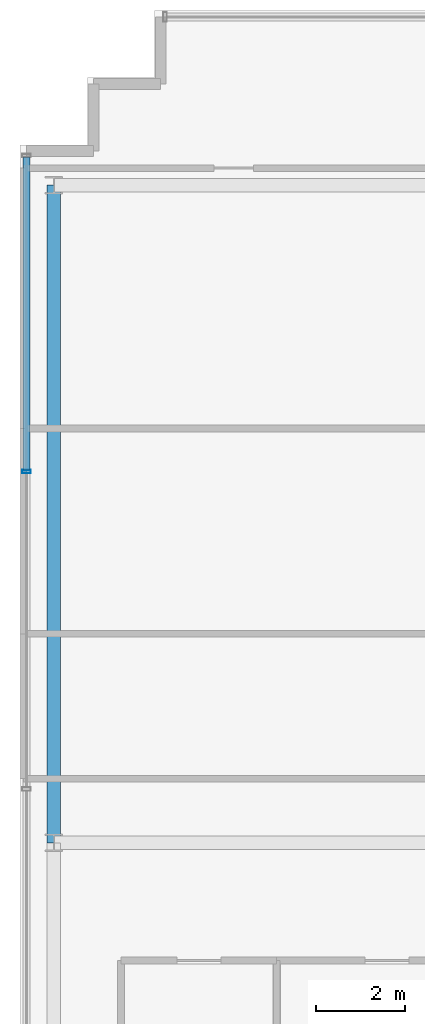
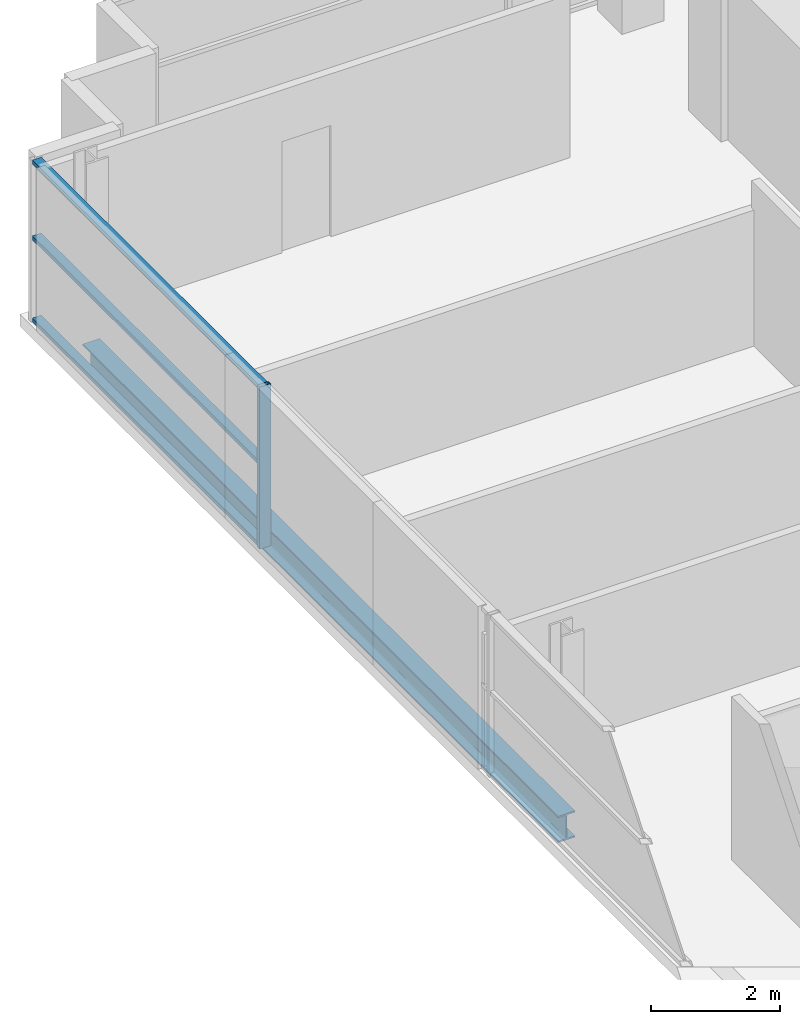
# One storey, part 10 of 25: 4 members, 1 beam, 1 element without a shape of its own.
"""IFC4 building model written with IfcOpenShell, lengths in metres."""

from ifc_helpers import new_model, si_unit, direction, frame, origin, origin_2d, place, context, subcontext, project, spatial, hollow_rectangle, i_section, extrude, source, transform, mapped, material, layer, layer_set, material_profile, profile_set, type_object, element, aggregate, save


model = new_model("IFC4")

# Units and contexts
model_context = context("Model", 3, precision=1e-05, world=origin(), true_north=direction((0.0, 1.0)))
body_context = subcontext(model_context, "Body", "Model", "MODEL_VIEW")
ifc_project = project(units=[si_unit("LENGTHUNIT", "METRE"), si_unit("AREAUNIT", "SQUARE_METRE"), si_unit("VOLUMEUNIT", "CUBIC_METRE"), si_unit("PLANEANGLEUNIT", "RADIAN"), si_unit("MASSUNIT", "GRAM", prefix="KILO")], contexts=[model_context])

# Site, building, storey
site_placement = place(None, origin())
site = spatial("IfcSite", under=ifc_project, at=site_placement, CompositionType="ELEMENT")
building_placement = place(site_placement, origin())
building = spatial("IfcBuilding", under=site, at=building_placement, Name="Zarnakvel Exchange Tower", CompositionType="ELEMENT")
storey_placement = place(building_placement, frame((0.0, 0.0, 169.300048828125)))
storey = spatial("IfcBuildingStorey", under=building, at=storey_placement, Name="L47", CompositionType="ELEMENT", Elevation=169.300048828125)

# Beam
ifc_material_1 = material(Name="Steel S355", Category="steel")
ifc_material_profile_1 = material_profile(ifc_material_1, i_section(OverallWidth=0.300048828125, OverallDepth=0.5, WebThickness=0.014404296875, FlangeThickness=0.028076171875, FilletRadius=0.027099609375, at=origin_2d()))
ifc_profile_set_1 = profile_set([ifc_material_profile_1], Name="Steel S355")
beam_type = type_object("IfcBeamType", Name="SP-02", PredefinedType="SPANDREL", material=ifc_profile_set_1)
beam_placement = place(storey_placement, frame((-25.85009765625, -1.199951171875, -0.47509765625), z_axis=(0.0, 1.0, 0.0), x_axis=(-1.0, 0.0, 0.0)))
element("IfcBeam", 1, at=beam_placement, inside=storey, type_object=beam_type, Name="L47 Tower N-S Frame Beam", PredefinedType="SPANDREL", context=body_context, shape_type="SweptSolid", body=[
    extrude(i_section(OverallWidth=0.300048828125, OverallDepth=0.5, WebThickness=0.014404296875, FlangeThickness=0.028076171875, FilletRadius=0.027099609375, at=origin_2d()), origin(), (0.0, 0.0, 1.0), 14.699951171875),
])

# Curtain wall, members
ifc_material_2 = material(Name="Architectural Bronze Anodised Aluminium", Category="aluminium")
ifc_layer = layer(ifc_material_2, 0.199951171875)
ifc_layer_set = layer_set([ifc_layer], Name="Architectural Bronze Anodised Aluminium")
curtain_wall_type = type_object("IfcCurtainWallType", Name="CW-04", PredefinedType="NOTDEFINED", material=ifc_layer_set)
curtain_wall_placement = place(storey_placement, origin())
curtain_wall = element("IfcCurtainWall", 2, at=curtain_wall_placement, inside=storey, type_object=curtain_wall_type, Name="L47 Curtain Wall CW-L47-W1 (CW-04)", PredefinedType="NOTDEFINED")
ifc_material_profile_2 = material_profile(ifc_material_2, hollow_rectangle(XDim=0.199951171875, YDim=0.074951171875, WallThickness=0.0048828125, at=origin_2d()))
ifc_profile_set_2 = profile_set([ifc_material_profile_2], Name="Architectural Bronze Anodised Aluminium")
member_type_1 = type_object("IfcMemberType", Name="CWM-04", PredefinedType="MULLION", material=ifc_profile_set_2)
shared_shape_1 = source(origin(), body_context, "Body", "SweptSolid", [
    extrude(hollow_rectangle(XDim=0.199951171875, YDim=0.074951171875, WallThickness=0.0048828125, at=origin_2d()), origin(), (0.0, 0.0, 1.0), 3.054931640625),
])
member_1_placement = place(storey_placement, frame((-26.4599609375, 7.10009765625, 0.0), z_axis=(0.0, 0.0, 1.0), x_axis=(-1.0, 0.0, 0.0)))
member_1 = element("IfcMember", 3, at=member_1_placement, type_object=member_type_1, Name="CW-04 mullion 4", PredefinedType="MULLION", context=body_context, shape_type="MappedRepresentation", body=[
    mapped(shared_shape_1, transform((0.0, 0.0, 0.0), x_axis=(1.0, 0.0, 0.0), y_axis=(0.0, 1.0, 0.0), z_axis=(0.0, 0.0, 1.0), scale=1.0)),
])
ifc_material_profile_3 = material_profile(ifc_material_2, hollow_rectangle(XDim=0.159912109375, YDim=0.074951171875, WallThickness=0.00390625, at=origin_2d()))
ifc_profile_set_3 = profile_set([ifc_material_profile_3], Name="Architectural Bronze Anodised Aluminium")
member_type_2 = type_object("IfcMemberType", Name="CWT-04", PredefinedType="USERDEFINED", material=ifc_profile_set_3)
shared_shape_2 = source(origin(), body_context, "Body", "SweptSolid", [
    extrude(hollow_rectangle(XDim=0.159912109375, YDim=0.074951171875, WallThickness=0.00390625, at=origin_2d()), origin(), (0.0, 0.0, 1.0), 6.987548828125),
])
member_2_placement = place(storey_placement, frame((-26.4599609375, 7.137451171875, 0.037353515625), z_axis=(0.0, 1.0, 0.0), x_axis=(-1.0, 0.0, 0.0)))
member_2 = element("IfcMember", 4, at=member_2_placement, type_object=member_type_2, Name="CW-04 transom 4.1", ObjectType="TRANSOM", PredefinedType="USERDEFINED", context=body_context, shape_type="MappedRepresentation", body=[
    mapped(shared_shape_2, transform((0.0, 0.0, 0.0), x_axis=(1.0, 0.0, 0.0), y_axis=(0.0, 1.0, 0.0), z_axis=(0.0, 0.0, 1.0), scale=1.0)),
])
member_3_placement = place(storey_placement, frame((-26.4599609375, 7.137451171875, 1.588623046875), z_axis=(0.0, 1.0, 0.0), x_axis=(-1.0, 0.0, 0.0)))
member_3 = element("IfcMember", 5, at=member_3_placement, type_object=member_type_2, Name="CW-04 transom 4.2", ObjectType="TRANSOM", PredefinedType="USERDEFINED", context=body_context, shape_type="MappedRepresentation", body=[
    mapped(shared_shape_2, transform((0.0, 0.0, 0.0), x_axis=(1.0, 0.0, 0.0), y_axis=(0.0, 1.0, 0.0), z_axis=(0.0, 0.0, 1.0), scale=1.0)),
])
member_4_placement = place(storey_placement, frame((-26.4599609375, 7.137451171875, 3.017333984375), z_axis=(0.0, 1.0, 0.0), x_axis=(-1.0, 0.0, 0.0)))
member_4 = element("IfcMember", 6, at=member_4_placement, type_object=member_type_2, Name="CW-04 transom 4.3", ObjectType="TRANSOM", PredefinedType="USERDEFINED", context=body_context, shape_type="MappedRepresentation", body=[
    mapped(shared_shape_2, transform((0.0, 0.0, 0.0), x_axis=(1.0, 0.0, 0.0), y_axis=(0.0, 1.0, 0.0), z_axis=(0.0, 0.0, 1.0), scale=1.0)),
])
aggregate(curtain_wall, [member_1, member_2, member_3, member_4])

save(model, "model.ifc")
